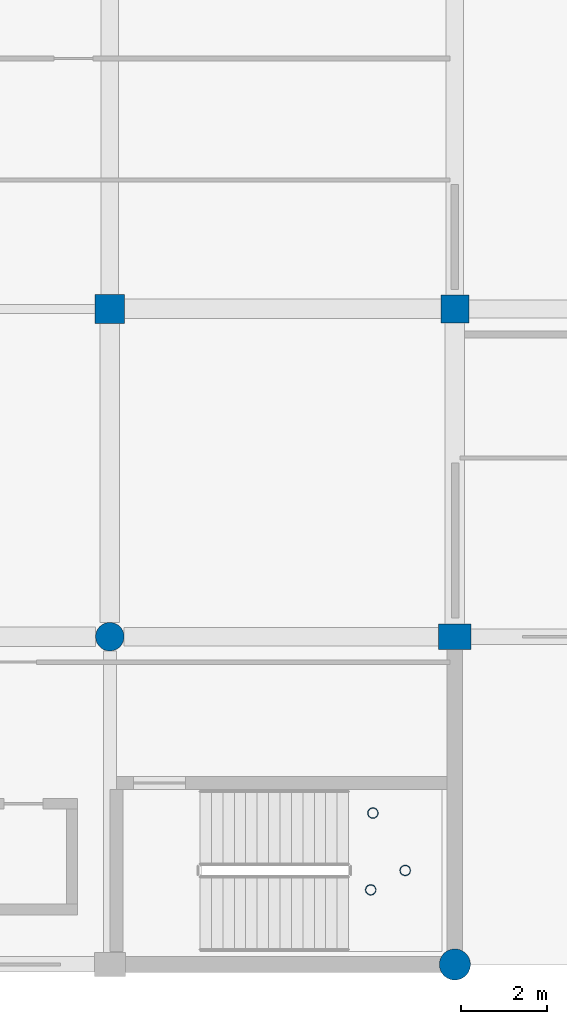
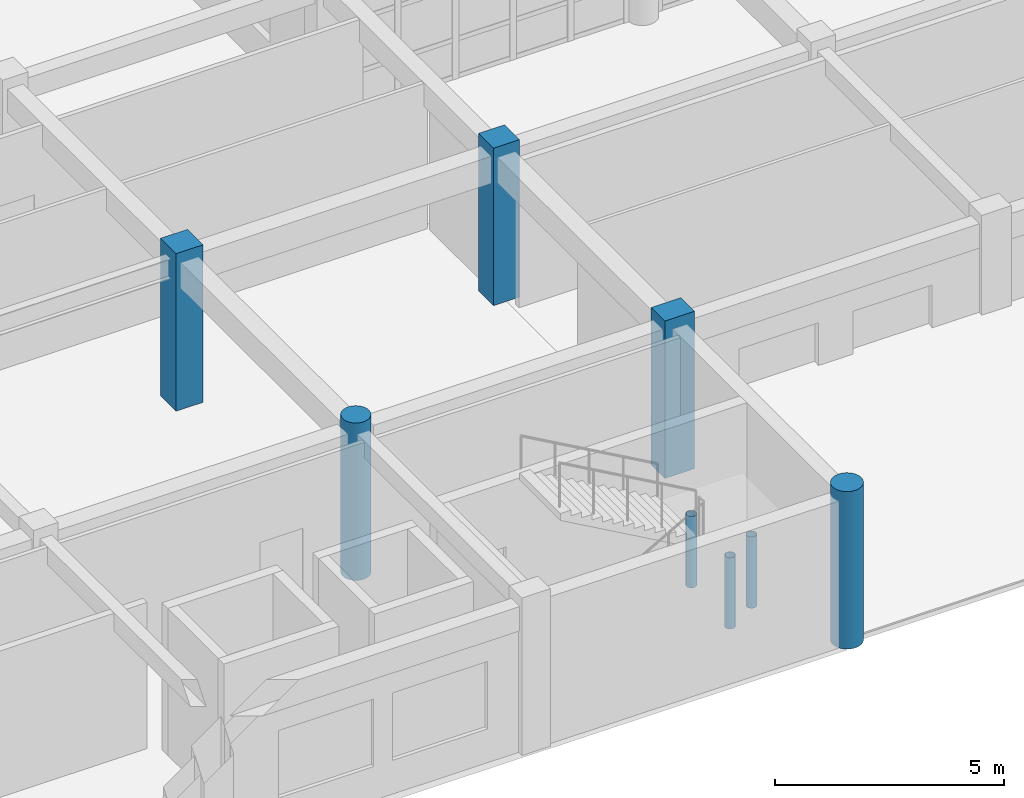
# One storey, part 3 of 195: 8 columns.
"""IFC4 building model written with IfcOpenShell, lengths in metres."""

from ifc_helpers import new_model, si_unit, direction, frame, origin, origin_2d, place, context, subcontext, project, spatial, rectangle, circle, hollow_circle, extrude, material, material_profile, profile_set, type_object, element, save


model = new_model("IFC4")

# Units and contexts
model_context = context("Model", 3, precision=1e-05, world=origin(), true_north=direction((0.0, 1.0)))
body_context = subcontext(model_context, "Body", "Model", "MODEL_VIEW")
ifc_project = project(units=[si_unit("LENGTHUNIT", "METRE"), si_unit("AREAUNIT", "SQUARE_METRE"), si_unit("VOLUMEUNIT", "CUBIC_METRE"), si_unit("PLANEANGLEUNIT", "RADIAN"), si_unit("MASSUNIT", "GRAM", prefix="KILO")], contexts=[model_context])

# Site, building, storey
site_placement = place(None, origin())
site = spatial("IfcSite", under=ifc_project, at=site_placement, CompositionType="ELEMENT")
building_placement = place(site_placement, origin())
building = spatial("IfcBuilding", under=site, at=building_placement, Name="Kharva Crest Polytechnic", CompositionType="ELEMENT")
storey_placement = place(building_placement, frame((0.0, 0.0, 9.0)))
storey = spatial("IfcBuildingStorey", under=building, at=storey_placement, Name="L02", CompositionType="ELEMENT", Elevation=9.0)

# Columns
ifc_material_1 = material(Name="Concrete C40/50", Category="concrete")
ifc_material_profile_1 = material_profile(ifc_material_1, rectangle(XDim=0.75, YDim=0.60009765625, at=origin_2d()), Name="RECT 750 X 600")
ifc_profile_set_1 = profile_set([ifc_material_profile_1], Name="Concrete C40/50")
column_type_1 = type_object("IfcColumnType", Name="COL-EXT-750X600", PredefinedType="COLUMN", material=ifc_profile_set_1)
column_1_placement = place(storey_placement, frame((56.0, 7.60009765625, 0.0), z_axis=(0.0, 0.0, 1.0), x_axis=(1.0, 0.0, 0.0)))
element("IfcColumn", 1, at=column_1_placement, inside=storey, type_object=column_type_1, Name="L02 Column 8/B", PredefinedType="COLUMN", context=body_context, shape_type="SweptSolid", body=[
    extrude(rectangle(XDim=0.75, YDim=0.60009765625, at=origin_2d()), origin(), (0.0, 0.0, 1.0), 4.199951171875),
])
ifc_material_profile_2 = material_profile(ifc_material_1, circle(Radius=0.360107421875, at=origin_2d()), Name="DIA 720")
ifc_profile_set_2 = profile_set([ifc_material_profile_2], Name="Concrete C40/50")
column_type_2 = type_object("IfcColumnType", Name="COL-EXT-DIA720", PredefinedType="COLUMN", material=ifc_profile_set_2)
column_2_placement = place(storey_placement, frame((56.0, 0.0, 0.0), z_axis=(0.0, 0.0, 1.0), x_axis=(1.0, 0.0, 0.0)))
element("IfcColumn", 2, at=column_2_placement, inside=storey, type_object=column_type_2, Name="L02 Column 8/A", PredefinedType="COLUMN", context=body_context, shape_type="SweptSolid", body=[
    extrude(circle(Radius=0.360107421875, at=origin_2d()), origin(), (0.0, 0.0, 1.0), 4.199951171875),
])
ifc_material_profile_3 = material_profile(ifc_material_1, rectangle(XDim=0.64990234375, YDim=0.64990234375, at=origin_2d()), Name="RECT 650 X 650")
ifc_profile_set_3 = profile_set([ifc_material_profile_3], Name="Concrete C40/50")
column_type_3 = type_object("IfcColumnType", Name="COL-INT-650X650", PredefinedType="COLUMN", material=ifc_profile_set_3)
column_3_placement = place(storey_placement, frame((56.0, 15.199951171875, 0.0), z_axis=(0.0, 0.0, 1.0), x_axis=(1.0, 0.0, 0.0)))
element("IfcColumn", 3, at=column_3_placement, inside=storey, type_object=column_type_3, Name="L02 Column 8/C", PredefinedType="COLUMN", context=body_context, shape_type="SweptSolid", body=[
    extrude(rectangle(XDim=0.64990234375, YDim=0.64990234375, at=origin_2d()), origin(), (0.0, 0.0, 1.0), 4.199951171875),
])
ifc_material_profile_4 = material_profile(ifc_material_1, rectangle(XDim=0.679931640625, YDim=0.679931640625, at=origin_2d()), Name="RECT 680 X 680")
ifc_profile_set_4 = profile_set([ifc_material_profile_4], Name="Concrete C40/50")
column_type_4 = type_object("IfcColumnType", Name="COL-INT-680X680", PredefinedType="COLUMN", material=ifc_profile_set_4)
column_4_placement = place(storey_placement, frame((48.0, 15.199951171875, 0.0), z_axis=(0.0, 0.0, 1.0), x_axis=(1.0, 0.0, 0.0)))
element("IfcColumn", 4, at=column_4_placement, inside=storey, type_object=column_type_4, Name="L02 Column 7/C", PredefinedType="COLUMN", context=body_context, shape_type="SweptSolid", body=[
    extrude(rectangle(XDim=0.679931640625, YDim=0.679931640625, at=origin_2d()), origin(), (0.0, 0.0, 1.0), 4.199951171875),
])
ifc_material_profile_5 = material_profile(ifc_material_1, circle(Radius=0.330078125, at=origin_2d()), Name="DIA 660")
ifc_profile_set_5 = profile_set([ifc_material_profile_5], Name="Concrete C40/50")
column_type_5 = type_object("IfcColumnType", Name="COL-INT-DIA660", PredefinedType="COLUMN", material=ifc_profile_set_5)
column_5_placement = place(storey_placement, frame((48.0, 7.60009765625, 0.0), z_axis=(0.0, 0.0, 1.0), x_axis=(1.0, 0.0, 0.0)))
element("IfcColumn", 5, at=column_5_placement, inside=storey, type_object=column_type_5, Name="L02 Column 7/B", PredefinedType="COLUMN", context=body_context, shape_type="SweptSolid", body=[
    extrude(circle(Radius=0.330078125, at=origin_2d()), origin(), (0.0, 0.0, 1.0), 4.199951171875),
])
ifc_material_2 = material(Name="Steel S355", Category="steel")
ifc_material_profile_6 = material_profile(ifc_material_2, hollow_circle(Radius=0.122314453125, WallThickness=0.010009765625, at=origin_2d()), Name="CHS 244.5X10.0")
ifc_profile_set_6 = profile_set([ifc_material_profile_6], Name="Steel S355")
column_type_6 = type_object("IfcColumnType", Name="COL-STL-CHS244", PredefinedType="COLUMN", material=ifc_profile_set_6)
for number, where, z_axis, x_axis, name in (
    (6, (54.050048828125, 1.72998046875, 0.0), (0.0, 0.0, 1.0), (1.0, 0.0, 0.0), "L02 Stair ST-01 Landing Support Column SW"),
    (7, (54.10009765625, 3.510009765625, 0.0), (0.0, 0.0, 1.0), (1.0, 0.0, 0.0), "L02 Stair ST-01 Landing Support Column NW"),
    (8, (54.85009765625, 2.179931640625, 0.0), (0.0, 0.0, 1.0), (1.0, 0.0, 0.0), "L02 Stair ST-01 Landing Support Column EM"),
):
    element("IfcColumn", number, at=place(storey_placement, frame(where, z_axis=z_axis, x_axis=x_axis)), inside=storey, type_object=column_type_6, Name=name, PredefinedType="COLUMN", context=body_context, shape_type="SweptSolid", body=[
        extrude(hollow_circle(Radius=0.122314453125, WallThickness=0.010009765625, at=origin_2d()), origin(), (0.0, 0.0, 1.0), 1.89990234375),
    ])

save(model, "model.ifc")
